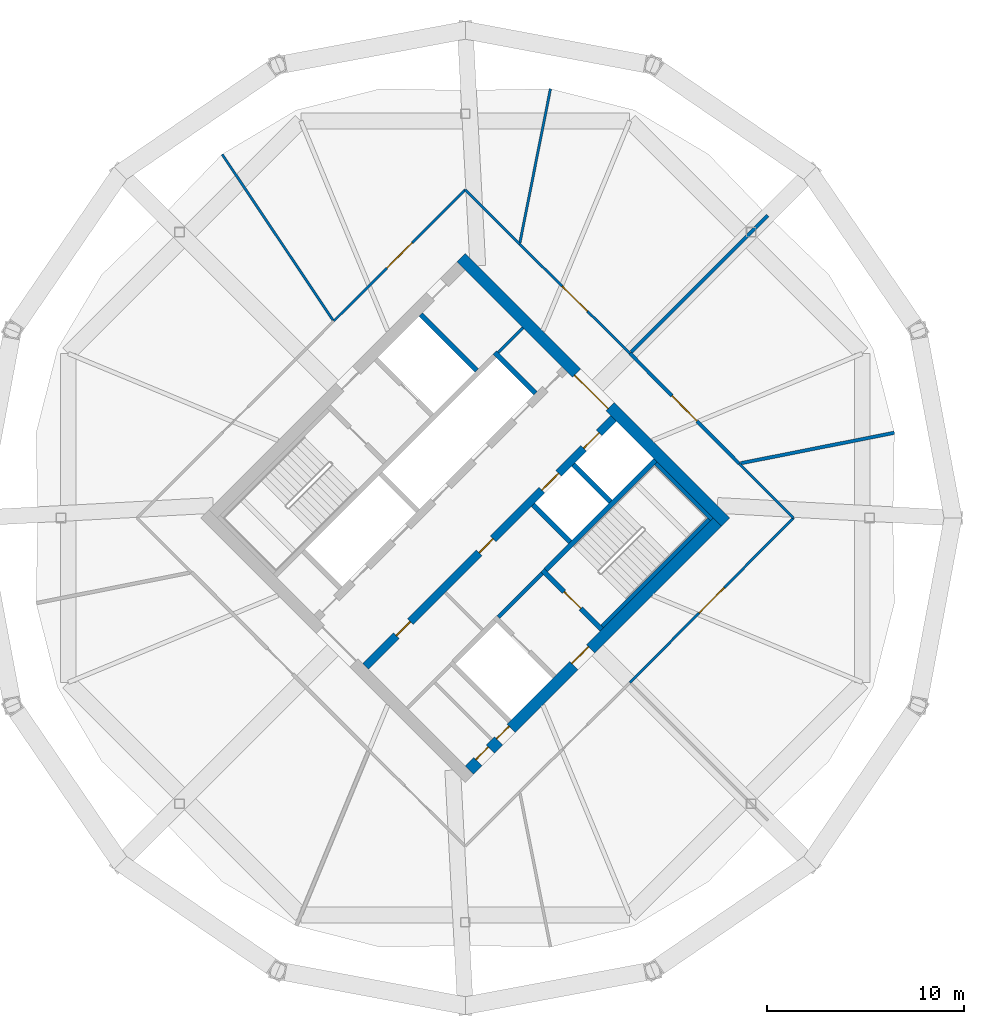
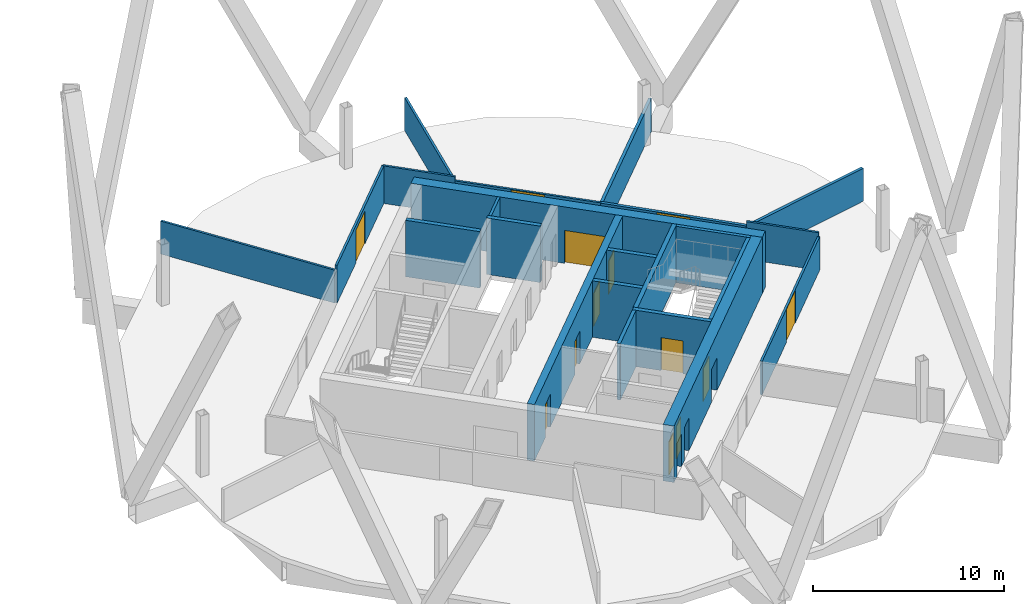
# One storey, part 8 of 10: 23 walls, 13 doors, 13 openings.
"""IFC4 building model written with IfcOpenShell, lengths in metres."""

from ifc_helpers import new_model, si_unit, direction, frame, frame_2d, origin, place, context, subcontext, project, spatial, rectangle, extrude, material, layer, layer_set, type_object, element, fill, save


model = new_model("IFC4")

# Units and contexts
model_context = context("Model", 3, precision=1e-05, world=origin(), true_north=direction((0.0, 1.0)))
body_context = subcontext(model_context, "Body", "Model", "MODEL_VIEW")
ifc_project = project(units=[si_unit("LENGTHUNIT", "METRE"), si_unit("AREAUNIT", "SQUARE_METRE"), si_unit("VOLUMEUNIT", "CUBIC_METRE"), si_unit("PLANEANGLEUNIT", "RADIAN"), si_unit("MASSUNIT", "GRAM", prefix="KILO")], contexts=[model_context])

# Site, building, storey
site_placement = place(None, origin())
site = spatial("IfcSite", under=ifc_project, at=site_placement, CompositionType="ELEMENT")
building_placement = place(site_placement, origin())
building = spatial("IfcBuilding", under=site, at=building_placement, Name="Ogive Gate Towers", CompositionType="ELEMENT")
storey_placement = place(building_placement, frame((0.0, 0.0, 181.199951171875)))
storey = spatial("IfcBuildingStorey", under=building, at=storey_placement, Name="L43", CompositionType="ELEMENT", Elevation=181.199951171875)

# Walls
ifc_material_1 = material(Name="Gypsum board acoustic partition")
ifc_layer_1 = layer(ifc_material_1, 0.175048828125)
ifc_layer_set_1 = layer_set([ifc_layer_1], Name="Acoustic partition 175")
wall_type_1 = type_object("IfcWallType", Name="Acoustic partition 175", PredefinedType="PARTITIONING", material=ifc_layer_set_1)
wall_1_placement = place(storey_placement, frame((57.784423828125, 4.324951171875, 0.0), z_axis=(0.0, 0.0, 1.0), x_axis=(-0.980858380129, -0.19472246437, 0.0)))
element("IfcWall", 1, at=wall_1_placement, inside=storey, type_object=wall_type_1, Name="Partition T2-L43-001", PredefinedType="PARTITIONING", context=body_context, shape_type="SweptSolid", body=[
    extrude(rectangle(XDim=7.951416015625, YDim=0.175048828125, at=frame_2d((3.9755859375, 0.0))), origin(), (0.0, 0.0, 1.0), 2.10009765625),
])
wall_2_placement = place(storey_placement, frame((51.3505859375, 15.3505859375, 0.0), z_axis=(0.0, 0.0, 1.0), x_axis=(-0.707106781187, -0.707106781187, 0.0)))
element("IfcWall", 2, at=wall_2_placement, inside=storey, type_object=wall_type_1, Name="Partition T2-L43-002", PredefinedType="PARTITIONING", context=body_context, shape_type="SweptSolid", body=[
    extrude(rectangle(XDim=9.801513671875, YDim=0.175048828125, at=frame_2d((4.90087890625, 0.0))), origin(), (0.0, 0.0, 1.0), 2.10009765625),
])

# Wall, opening, door
wall_3_placement = place(storey_placement, frame((49.8994140625, 2.759521484375, 0.0), z_axis=(0.0, 0.0, 1.0), x_axis=(-0.703486838198, 0.710708286488, 0.0)))
wall_3 = element("IfcWall", 3, at=wall_3_placement, inside=storey, type_object=wall_type_1, Name="Partition T2-L43-020", PredefinedType="PARTITIONING", context=body_context, shape_type="SweptSolid", body=[
    extrude(rectangle(XDim=7.877197265625, YDim=0.175048828125, at=frame_2d((3.9384765625, 0.0))), origin(), (0.0, 0.0, 1.0), 2.14013671875),
])
opening_1_placement = place(wall_3_placement, frame((3.0390625, 0.0, 0.0)))
opening_1 = element("IfcOpeningElement", 4, at=opening_1_placement, cuts=wall_3, Name="Opening T2-L43-D08", PredefinedType="OPENING", context=body_context, shape_type="SweptSolid", body=[
    extrude(rectangle(XDim=1.800048828125, YDim=2.10009765625, at=frame_2d((0.89990234375, 1.050048828125))), frame((0.0, 0.09765625, 0.0), z_axis=(0.0, -1.0, 0.0), x_axis=(1.0, 0.0, 0.0)), (0.0, 0.0, 1.0), 0.195068359375),
])
ifc_material_2 = material(Name="Timber door", Category="wood")
door_type_1 = type_object("IfcDoorType", Name="Door pair 1800", OperationType="NOTDEFINED", PredefinedType="DOOR", material=ifc_material_2)
door_1_placement = place(opening_1_placement, origin())
door_1 = element("IfcDoor", 5, at=door_1_placement, inside=storey, type_object=door_type_1, Name="Door T2-L43-D08", OperationType="DOUBLE_DOOR_DOUBLE_SWING", OverallHeight=2.10009765625, OverallWidth=1.800048828125, PredefinedType="DOOR", context=body_context, shape_type="SweptSolid", body=[
    extrude(rectangle(XDim=1.800048828125, YDim=2.10009765625, at=frame_2d((0.89990234375, 1.050048828125))), frame((0.0, 0.02490234375, 0.0), z_axis=(0.0, -1.0, 0.0), x_axis=(1.0, 0.0, 0.0)), (0.0, 0.0, 1.0), 0.050048828125),
])
fill(opening_1, door_1)

# Wall
ifc_material_3 = material(Name="Masonry blockwork", Category="masonry")
ifc_layer_2 = layer(ifc_material_3, 0.199951171875)
ifc_layer_set_2 = layer_set([ifc_layer_2], Name="Blockwork wall 200 mm")
wall_type_2 = type_object("IfcWallType", Name="Blockwork wall 200 mm", PredefinedType="PARTITIONING", material=ifc_layer_set_2)
wall_4_placement = place(storey_placement, frame((37.679443359375, -5.0380859375, 0.0), z_axis=(0.0, 0.0, 1.0), x_axis=(0.707106781187, 0.707106781187, 0.0)))
element("IfcWall", 6, at=wall_4_placement, inside=storey, type_object=wall_type_2, Name="T2 L43 Blockwork wall 200 mm", PredefinedType="PARTITIONING", context=body_context, shape_type="SweptSolid", body=[
    extrude(rectangle(XDim=3.14990234375, YDim=0.199951171875, at=frame_2d((1.574951171875, 0.0))), origin(), (0.0, 0.0, 1.0), 3.60009765625),
])

# Wall, openings, doors
ifc_material_4 = material(Name="Concrete C60/75", Category="concrete")
ifc_layer_3 = layer(ifc_material_4, 0.60009765625)
ifc_layer_set_3 = layer_set([ifc_layer_3], Name="Core wall 600 mm")
wall_type_3 = type_object("IfcWallType", Name="Core wall 600 mm", PredefinedType="SHEAR", material=ifc_layer_set_3)
wall_5_placement = place(storey_placement, frame((36.212158203125, -12.798583984375, 0.0), z_axis=(0.0, 0.0, 1.0), x_axis=(0.707106781187, 0.707106781187, 0.0)))
wall_5 = element("IfcWall", 7, at=wall_5_placement, inside=storey, type_object=wall_type_3, Name="T2 L43 Core wall 600 mm", PredefinedType="SHEAR", context=body_context, shape_type="SweptSolid", body=[
    extrude(rectangle(XDim=17.7998046875, YDim=0.60009765625, at=frame_2d((8.89990234375, 0.0))), origin(), (0.0, 0.0, 1.0), 3.60009765625),
])
opening_2_placement = place(wall_5_placement, frame((7.5, 0.0, 0.0)))
opening_2 = element("IfcOpeningElement", 8, at=opening_2_placement, cuts=wall_5, Name="Opening KD-T2-L43-19", PredefinedType="OPENING", context=body_context, shape_type="SweptSolid", body=[
    extrude(rectangle(XDim=1.199951171875, YDim=2.10009765625, at=frame_2d((0.60009765625, 1.050048828125))), frame((0.0, 0.31005859375, 0.0), z_axis=(0.0, -1.0, 0.0), x_axis=(1.0, 0.0, 0.0)), (0.0, 0.0, 1.0), 0.6201171875),
])
opening_3_placement = place(wall_5_placement, frame((0.60009765625, 0.0, 0.0)))
opening_3 = element("IfcOpeningElement", 9, at=opening_3_placement, cuts=wall_5, Name="Opening KD-T2-L43-21", PredefinedType="OPENING", context=body_context, shape_type="SweptSolid", body=[
    extrude(rectangle(XDim=0.89990234375, YDim=2.10009765625, at=frame_2d((0.449951171875, 1.050048828125))), frame((0.0, 0.31005859375, 0.0), z_axis=(0.0, -1.0, 0.0), x_axis=(1.0, 0.0, 0.0)), (0.0, 0.0, 1.0), 0.6201171875),
])
opening_4_placement = place(wall_5_placement, frame((2.10009765625, 0.0, 0.0)))
opening_4 = element("IfcOpeningElement", 10, at=opening_4_placement, cuts=wall_5, Name="Opening KD-T2-L43-22", PredefinedType="OPENING", context=body_context, shape_type="SweptSolid", body=[
    extrude(rectangle(XDim=0.89990234375, YDim=2.10009765625, at=frame_2d((0.449951171875, 1.050048828125))), frame((0.0, 0.31005859375, 0.0), z_axis=(0.0, -1.0, 0.0), x_axis=(1.0, 0.0, 0.0)), (0.0, 0.0, 1.0), 0.6201171875),
])
door_type_2 = type_object("IfcDoorType", Name="Core WC door 900 x 2100", OperationType="NOTDEFINED", PredefinedType="DOOR", material=ifc_material_2)
door_2_placement = place(opening_3_placement, origin())
door_2 = element("IfcDoor", 11, at=door_2_placement, inside=storey, type_object=door_type_2, Name="T2 L43 Core door", OperationType="SINGLE_SWING_RIGHT", OverallHeight=2.10009765625, OverallWidth=0.89990234375, PredefinedType="DOOR", context=body_context, shape_type="SweptSolid", body=[
    extrude(rectangle(XDim=0.89990234375, YDim=2.10009765625, at=frame_2d((0.449951171875, 1.050048828125))), frame((0.0, 0.1748046875, 0.0), z_axis=(0.0, -1.0, 0.0), x_axis=(1.0, 0.0, 0.0)), (0.0, 0.0, 1.0), 0.050048828125),
])
fill(opening_3, door_2)
door_3_placement = place(opening_4_placement, origin())
door_3 = element("IfcDoor", 12, at=door_3_placement, inside=storey, type_object=door_type_2, Name="T2 L43 Core door", OperationType="SINGLE_SWING_LEFT", OverallHeight=2.10009765625, OverallWidth=0.89990234375, PredefinedType="DOOR", context=body_context, shape_type="SweptSolid", body=[
    extrude(rectangle(XDim=0.89990234375, YDim=2.10009765625, at=frame_2d((0.449951171875, 1.050048828125))), frame((0.0, 0.1748046875, 0.0), z_axis=(0.0, -1.0, 0.0), x_axis=(1.0, 0.0, 0.0)), (0.0, 0.0, 1.0), 0.050048828125),
])
fill(opening_4, door_3)
ifc_material_5 = material(Name="Steel fire door", Category="steel")
door_type_3 = type_object("IfcDoorType", Name="Core door FD60S 1200 x 2100", OperationType="NOTDEFINED", PredefinedType="DOOR", material=ifc_material_5)
door_4_placement = place(opening_2_placement, origin())
door_4 = element("IfcDoor", 13, at=door_4_placement, inside=storey, type_object=door_type_3, Name="T2 L43 Fire-fighting lobby door", OperationType="SINGLE_SWING_RIGHT", OverallHeight=2.10009765625, OverallWidth=1.199951171875, PredefinedType="DOOR", context=body_context, shape_type="SweptSolid", body=[
    extrude(rectangle(XDim=1.199951171875, YDim=2.10009765625, at=frame_2d((0.60009765625, 1.050048828125))), frame((0.0, 0.1748046875, 0.0), z_axis=(0.0, -1.0, 0.0), x_axis=(1.0, 0.0, 0.0)), (0.0, 0.0, 1.0), 0.050048828125),
])
fill(opening_2, door_4)

# Wall, opening, door
wall_6_placement = place(storey_placement, frame((49.222900390625, -0.212158203125, 0.0), z_axis=(0.0, 0.0, 1.0), x_axis=(-0.707106781187, 0.707106781187, 0.0)))
wall_6 = element("IfcWall", 14, at=wall_6_placement, inside=storey, type_object=wall_type_3, Name="T2 L43 Core wall 600 mm", PredefinedType="SHEAR", context=body_context, shape_type="SweptSolid", body=[
    extrude(rectangle(XDim=19.0, YDim=0.60009765625, at=frame_2d((9.5, 0.0))), origin(), (0.0, 0.0, 1.0), 3.60009765625),
])
opening_5_placement = place(wall_6_placement, frame((8.300048828125, 0.0, 0.0)))
opening_5 = element("IfcOpeningElement", 15, at=opening_5_placement, cuts=wall_6, Name="Opening KD-T2-L43-02", PredefinedType="OPENING", context=body_context, shape_type="SweptSolid", body=[
    extrude(rectangle(XDim=2.39990234375, YDim=2.10009765625, at=frame_2d((1.199951171875, 1.050048828125))), frame((0.0, 0.31005859375, 0.0), z_axis=(0.0, -1.0, 0.0), x_axis=(1.0, 0.0, 0.0)), (0.0, 0.0, 1.0), 0.6201171875),
])
door_type_4 = type_object("IfcDoorType", Name="Core double door FD60S 2400 x 2100", OperationType="DOUBLE_DOOR_SINGLE_SWING", PredefinedType="DOOR", material=ifc_material_5)
door_5_placement = place(opening_5_placement, origin())
door_5 = element("IfcDoor", 16, at=door_5_placement, inside=storey, type_object=door_type_4, Name="T2 L43 Core door double", OperationType="DOUBLE_DOOR_SINGLE_SWING", OverallHeight=2.10009765625, OverallWidth=2.39990234375, PredefinedType="DOOR", context=body_context, shape_type="SweptSolid", body=[
    extrude(rectangle(XDim=2.39990234375, YDim=2.10009765625, at=frame_2d((1.199951171875, 1.050048828125))), frame((0.0, 0.1748046875, 0.0), z_axis=(0.0, -1.0, 0.0), x_axis=(1.0, 0.0, 0.0)), (0.0, 0.0, 1.0), 0.050048828125),
])
fill(opening_5, door_5)

# Walls
ifc_material_6 = material(Name="Gypsum board partition")
ifc_layer_4 = layer(ifc_material_6, 0.125)
ifc_layer_set_4 = layer_set([ifc_layer_4], Name="Partition 125")
wall_type_4 = type_object("IfcWallType", Name="Partition 125", PredefinedType="PARTITIONING", material=ifc_layer_set_4)
wall_7_placement = place(storey_placement, frame((40.324951171875, 21.784423828125, 0.0), z_axis=(0.0, 0.0, 1.0), x_axis=(-0.194756262112, -0.980851669911, 0.0)))
element("IfcWall", 17, at=wall_7_placement, inside=storey, type_object=wall_type_4, Name="Partition T2-L43-003", PredefinedType="PARTITIONING", context=body_context, shape_type="SweptSolid", body=[
    extrude(rectangle(XDim=7.9765625, YDim=0.125, at=frame_2d((3.98828125, 0.0))), origin(), (0.0, 0.0, 1.0), 2.10009765625),
])
wall_8_placement = place(storey_placement, frame((23.654296875, 18.462158203125, 0.0), z_axis=(0.0, 0.0, 1.0), x_axis=(0.555873550817, -0.831266861785, 0.0)))
element("IfcWall", 18, at=wall_8_placement, inside=storey, type_object=wall_type_4, Name="Partition T2-L43-004", PredefinedType="PARTITIONING", context=body_context, shape_type="SweptSolid", body=[
    extrude(rectangle(XDim=10.126708984375, YDim=0.125, at=frame_2d((5.0634765625, 0.0))), origin(), (0.0, 0.0, 1.0), 2.10009765625),
])

# Wall, opening, door
wall_9_placement = place(storey_placement, frame((44.35791015625, 8.35791015625, 0.0), z_axis=(0.0, 0.0, 1.0), x_axis=(-0.710708286488, 0.703486838198, 0.0)))
wall_9 = element("IfcWall", 19, at=wall_9_placement, inside=storey, type_object=wall_type_4, Name="Partition T2-L43-009", PredefinedType="PARTITIONING", context=body_context, shape_type="SweptSolid", body=[
    extrude(rectangle(XDim=7.877197265625, YDim=0.125, at=frame_2d((3.9384765625, 0.0))), origin(), (0.0, 0.0, 1.0), 2.14013671875),
])
opening_6_placement = place(wall_9_placement, frame((3.0390625, 0.0, 0.0)))
opening_6 = element("IfcOpeningElement", 20, at=opening_6_placement, cuts=wall_9, Name="Opening T2-L43-D01", PredefinedType="OPENING", context=body_context, shape_type="SweptSolid", body=[
    extrude(rectangle(XDim=1.800048828125, YDim=2.10009765625, at=frame_2d((0.89990234375, 1.050048828125))), frame((0.0, 0.072509765625, 0.0), z_axis=(0.0, -1.0, 0.0), x_axis=(1.0, 0.0, 0.0)), (0.0, 0.0, 1.0), 0.14501953125),
])
door_6_placement = place(opening_6_placement, origin())
door_6 = element("IfcDoor", 21, at=door_6_placement, inside=storey, type_object=door_type_1, Name="Door T2-L43-D01", OperationType="DOUBLE_DOOR_DOUBLE_SWING", OverallHeight=2.10009765625, OverallWidth=1.800048828125, PredefinedType="DOOR", context=body_context, shape_type="SweptSolid", body=[
    extrude(rectangle(XDim=1.800048828125, YDim=2.10009765625, at=frame_2d((0.89990234375, 1.050048828125))), frame((0.0, 0.02490234375, 0.0), z_axis=(0.0, -1.0, 0.0), x_axis=(1.0, 0.0, 0.0)), (0.0, 0.0, 1.0), 0.050048828125),
])
fill(opening_6, door_6)

wall_10_placement = place(storey_placement, frame((36.0, 16.659423828125, 0.0), z_axis=(0.0, 0.0, 1.0), x_axis=(-0.707882286936, -0.706330423981, 0.0)))
wall_10 = element("IfcWall", 22, at=wall_10_placement, inside=storey, type_object=wall_type_4, Name="Partition T2-L43-010", PredefinedType="PARTITIONING", context=body_context, shape_type="SweptSolid", body=[
    extrude(rectangle(XDim=9.439208984375, YDim=0.125, at=frame_2d((4.7197265625, 0.0))), origin(), (0.0, 0.0, 1.0), 2.400146484375),
])
opening_7_placement = place(wall_10_placement, frame((3.820068359375, 0.0, 0.0)))
opening_7 = element("IfcOpeningElement", 23, at=opening_7_placement, cuts=wall_10, Name="Opening T2-L43-D02", PredefinedType="OPENING", context=body_context, shape_type="SweptSolid", body=[
    extrude(rectangle(XDim=1.800048828125, YDim=2.10009765625, at=frame_2d((0.89990234375, 1.050048828125))), frame((0.0, 0.072509765625, 0.0), z_axis=(0.0, -1.0, 0.0), x_axis=(1.0, 0.0, 0.0)), (0.0, 0.0, 1.0), 0.14501953125),
])
door_7_placement = place(opening_7_placement, origin())
door_7 = element("IfcDoor", 24, at=door_7_placement, inside=storey, type_object=door_type_1, Name="Door T2-L43-D02", OperationType="DOUBLE_DOOR_DOUBLE_SWING", OverallHeight=2.10009765625, OverallWidth=1.800048828125, PredefinedType="DOOR", context=body_context, shape_type="SweptSolid", body=[
    extrude(rectangle(XDim=1.800048828125, YDim=2.10009765625, at=frame_2d((0.89990234375, 1.050048828125))), frame((0.0, 0.02490234375, 0.0), z_axis=(0.0, -1.0, 0.0), x_axis=(1.0, 0.0, 0.0)), (0.0, 0.0, 1.0), 0.050048828125),
])
fill(opening_7, door_7)

# Wall
wall_11_placement = place(storey_placement, frame((38.759521484375, 13.8994140625, 0.0), z_axis=(0.0, 0.0, 1.0), x_axis=(-0.707044224741, 0.707169332098, 0.0)))
element("IfcWall", 25, at=wall_11_placement, inside=storey, type_object=wall_type_4, Name="Partition T2-L43-011", PredefinedType="PARTITIONING", context=body_context, shape_type="SweptSolid", body=[
    extrude(rectangle(XDim=3.90283203125, YDim=0.125, at=frame_2d((1.951416015625, 0.0))), origin(), (0.0, 0.0, 1.0), 2.400146484375),
])

# Wall, opening, door
wall_12_placement = place(storey_placement, frame((44.35791015625, -8.35791015625, 0.0), z_axis=(0.0, 0.0, 1.0), x_axis=(0.70470900278, 0.709496456229, 0.0)))
wall_12 = element("IfcWall", 26, at=wall_12_placement, inside=storey, type_object=wall_type_4, Name="Partition T2-L43-018", PredefinedType="PARTITIONING", context=body_context, shape_type="SweptSolid", body=[
    extrude(rectangle(XDim=11.780029296875, YDim=0.125, at=frame_2d((5.89013671875, 0.0))), origin(), (0.0, 0.0, 1.0), 2.14013671875),
])
opening_8_placement = place(wall_12_placement, frame((4.989990234375, 0.0, 0.0)))
opening_8 = element("IfcOpeningElement", 27, at=opening_8_placement, cuts=wall_12, Name="Opening T2-L43-D07", PredefinedType="OPENING", context=body_context, shape_type="SweptSolid", body=[
    extrude(rectangle(XDim=1.800048828125, YDim=2.10009765625, at=frame_2d((0.89990234375, 1.050048828125))), frame((0.0, 0.072509765625, 0.0), z_axis=(0.0, -1.0, 0.0), x_axis=(1.0, 0.0, 0.0)), (0.0, 0.0, 1.0), 0.14501953125),
])
door_8_placement = place(opening_8_placement, origin())
door_8 = element("IfcDoor", 28, at=door_8_placement, inside=storey, type_object=door_type_1, Name="Door T2-L43-D07", OperationType="DOUBLE_DOOR_DOUBLE_SWING", OverallHeight=2.10009765625, OverallWidth=1.800048828125, PredefinedType="DOOR", context=body_context, shape_type="SweptSolid", body=[
    extrude(rectangle(XDim=1.800048828125, YDim=2.10009765625, at=frame_2d((0.89990234375, 1.050048828125))), frame((0.0, 0.02490234375, 0.0), z_axis=(0.0, -1.0, 0.0), x_axis=(1.0, 0.0, 0.0)), (0.0, 0.0, 1.0), 0.050048828125),
])
fill(opening_8, door_8)

# Walls
wall_13_placement = place(storey_placement, frame((52.659423828125, 0.0, 0.0), z_axis=(0.0, 0.0, 1.0), x_axis=(-0.707169332098, 0.707044224741, 0.0)))
element("IfcWall", 29, at=wall_13_placement, inside=storey, type_object=wall_type_4, Name="Partition T2-L43-019", PredefinedType="PARTITIONING", context=body_context, shape_type="SweptSolid", body=[
    extrude(rectangle(XDim=3.90283203125, YDim=0.125, at=frame_2d((1.951416015625, 0.0))), origin(), (0.0, 0.0, 1.0), 2.400146484375),
])
ifc_layer_5 = layer(ifc_material_6, 0.14990234375)
ifc_layer_set_5 = layer_set([ifc_layer_5], Name="Room partition 150 mm")
wall_type_5 = type_object("IfcWallType", Name="Room partition 150 mm", PredefinedType="PARTITIONING", material=ifc_layer_set_5)
wall_14_placement = place(storey_placement, frame((37.679443359375, 8.39697265625, 0.0), z_axis=(0.0, 0.0, 1.0), x_axis=(0.707106781187, 0.707106781187, 0.0)))
element("IfcWall", 30, at=wall_14_placement, inside=storey, type_object=wall_type_5, Name="T2 L43 Room partition 150 mm", PredefinedType="PARTITIONING", context=body_context, shape_type="SweptSolid", body=[
    extrude(rectangle(XDim=1.77490234375, YDim=0.14990234375, at=frame_2d((0.887451171875, 0.0))), origin(), (0.0, 0.0, 1.0), 3.60009765625),
])
ifc_layer_6 = layer(ifc_material_4, 0.25)
ifc_layer_set_6 = layer_set([ifc_layer_6], Name="Shaft wall 250 mm")
wall_type_6 = type_object("IfcWallType", Name="Shaft wall 250 mm", PredefinedType="SHEAR", material=ifc_layer_set_6)
wall_15_placement = place(storey_placement, frame((40.08349609375, -2.634033203125, 0.0), z_axis=(0.0, 0.0, 1.0), x_axis=(0.707106781187, 0.707106781187, 0.0)))
element("IfcWall", 31, at=wall_15_placement, inside=storey, type_object=wall_type_6, Name="T2 L43 Shaft wall 250 mm", PredefinedType="SHEAR", context=body_context, shape_type="SweptSolid", body=[
    extrude(rectangle(XDim=7.875244140625, YDim=0.25, at=frame_2d((3.9375, 0.0))), origin(), (0.0, 0.0, 1.0), 3.60009765625),
])

# Wall, opening, door
wall_16_placement = place(storey_placement, frame((42.9296875, -5.656982421875, 0.0), z_axis=(0.0, 0.0, 1.0), x_axis=(-0.707106781187, 0.707106781187, 0.0)))
wall_16 = element("IfcWall", 32, at=wall_16_placement, inside=storey, type_object=wall_type_6, Name="T2 L43 Shaft wall 250 mm", PredefinedType="SHEAR", context=body_context, shape_type="SweptSolid", body=[
    extrude(rectangle(XDim=4.250244140625, YDim=0.25, at=frame_2d((2.125, 0.0))), origin(), (0.0, 0.0, 1.0), 3.60009765625),
])
opening_9_placement = place(wall_16_placement, frame((1.5, 0.0, 0.0)))
opening_9 = element("IfcOpeningElement", 33, at=opening_9_placement, cuts=wall_16, Name="Opening KD-T2-L43-17", PredefinedType="OPENING", context=body_context, shape_type="SweptSolid", body=[
    extrude(rectangle(XDim=1.199951171875, YDim=2.10009765625, at=frame_2d((0.60009765625, 1.050048828125))), frame((0.0, 0.135009765625, 0.0), z_axis=(0.0, -1.0, 0.0), x_axis=(1.0, 0.0, 0.0)), (0.0, 0.0, 1.0), 0.27001953125),
])
door_9_placement = place(opening_9_placement, origin())
door_9 = element("IfcDoor", 34, at=door_9_placement, inside=storey, type_object=door_type_3, Name="T2 L43 Stair door", OperationType="SINGLE_SWING_RIGHT", OverallHeight=2.10009765625, OverallWidth=1.199951171875, PredefinedType="DOOR", context=body_context, shape_type="SweptSolid", body=[
    extrude(rectangle(XDim=1.199951171875, YDim=2.10009765625, at=frame_2d((0.60009765625, 1.050048828125))), frame((0.0, 0.02490234375, 0.0), z_axis=(0.0, -1.0, 0.0), x_axis=(1.0, 0.0, 0.0)), (0.0, 0.0, 1.0), 0.050048828125),
])
fill(opening_9, door_9)

# Walls
wall_17_placement = place(storey_placement, frame((41.321044921875, -1.2197265625, 0.0), z_axis=(0.0, 0.0, 1.0), x_axis=(-0.707106781187, 0.707106781187, 0.0)))
element("IfcWall", 35, at=wall_17_placement, inside=storey, type_object=wall_type_6, Name="T2 L43 Shaft wall 250 mm", PredefinedType="SHEAR", context=body_context, shape_type="SweptSolid", body=[
    extrude(rectangle(XDim=2.675048828125, YDim=0.25, at=frame_2d((1.33740234375, 0.0))), origin(), (0.0, 0.0, 1.0), 3.60009765625),
])
wall_18_placement = place(storey_placement, frame((36.58349609375, 7.477783203125, 0.0), z_axis=(0.0, 0.0, 1.0), x_axis=(-0.707137108942, 0.70707645213, 0.0)))
element("IfcWall", 36, at=wall_18_placement, inside=storey, type_object=wall_type_6, Name="T2 L43 Shaft wall 250 mm", PredefinedType="SHEAR", context=body_context, shape_type="SweptSolid", body=[
    extrude(rectangle(XDim=4.02490234375, YDim=0.25, at=frame_2d((2.012451171875, 0.0))), origin(), (0.0, 0.0, 1.0), 3.60009765625),
])
wall_19_placement = place(storey_placement, frame((43.37158203125, 0.830810546875, 0.0), z_axis=(0.0, 0.0, 1.0), x_axis=(-0.707106781187, 0.707106781187, 0.0)))
element("IfcWall", 37, at=wall_19_placement, inside=storey, type_object=wall_type_6, Name="T2 L43 Shaft wall 250 mm", PredefinedType="SHEAR", context=body_context, shape_type="SweptSolid", body=[
    extrude(rectangle(XDim=2.675048828125, YDim=0.25, at=frame_2d((1.33740234375, 0.0))), origin(), (0.0, 0.0, 1.0), 3.60009765625),
])
wall_20_placement = place(storey_placement, frame((39.57080078125, 6.32861328125, 0.0), z_axis=(0.0, 0.0, 1.0), x_axis=(-0.707065045505, 0.707148514405, 0.0)))
element("IfcWall", 38, at=wall_20_placement, inside=storey, type_object=wall_type_6, Name="T2 L43 Shaft wall 250 mm", PredefinedType="SHEAR", context=body_context, shape_type="SweptSolid", body=[
    extrude(rectangle(XDim=2.925048828125, YDim=0.25, at=frame_2d((1.46240234375, 0.0))), origin(), (0.0, 0.0, 1.0), 3.60009765625),
])

# Wall, openings, doors
ifc_layer_7 = layer(ifc_material_4, 0.39990234375)
ifc_layer_set_7 = layer_set([ifc_layer_7], Name="Spine wall 400 mm")
wall_type_7 = type_object("IfcWallType", Name="Spine wall 400 mm", PredefinedType="SHEAR", material=ifc_layer_set_7)
wall_21_placement = place(storey_placement, frame((30.944091796875, -7.53076171875, 0.0), z_axis=(0.0, 0.0, 1.0), x_axis=(0.707106781187, 0.707106781187, 0.0)))
wall_21 = element("IfcWall", 39, at=wall_21_placement, inside=storey, type_object=wall_type_7, Name="T2 L43 Spine wall 400 mm", PredefinedType="SHEAR", context=body_context, shape_type="SweptSolid", body=[
    extrude(rectangle(XDim=17.80029296875, YDim=0.39990234375, at=frame_2d((8.900146484375, 0.0))), origin(), (0.0, 0.0, 1.0), 3.60009765625),
])
opening_10_placement = place(wall_21_placement, frame((12.64990234375, 0.0, 0.0)))
opening_10 = element("IfcOpeningElement", 40, at=opening_10_placement, cuts=wall_21, Name="Opening LD-T2-L43-10", PredefinedType="OPENING", context=body_context, shape_type="SweptSolid", body=[
    extrude(rectangle(XDim=1.199951171875, YDim=2.10009765625, at=frame_2d((0.60009765625, 1.050048828125))), frame((0.0, 0.2099609375, 0.0), z_axis=(0.0, -1.0, 0.0), x_axis=(1.0, 0.0, 0.0)), (0.0, 0.0, 1.0), 0.419921875),
])
opening_11_placement = place(wall_21_placement, frame((15.64990234375, 0.0, 0.0)))
opening_11 = element("IfcOpeningElement", 41, at=opening_11_placement, cuts=wall_21, Name="Opening LD-T2-L43-11", PredefinedType="OPENING", context=body_context, shape_type="SweptSolid", body=[
    extrude(rectangle(XDim=1.10009765625, YDim=2.10009765625, at=frame_2d((0.550048828125, 1.050048828125))), frame((0.0, 0.2099609375, 0.0), z_axis=(0.0, -1.0, 0.0), x_axis=(1.0, 0.0, 0.0)), (0.0, 0.0, 1.0), 0.419921875),
])
opening_12_placement = place(wall_21_placement, frame((2.199951171875, 0.0, 0.0)))
opening_12 = element("IfcOpeningElement", 42, at=opening_12_placement, cuts=wall_21, Name="Opening KD-T2-L43-14", PredefinedType="OPENING", context=body_context, shape_type="SweptSolid", body=[
    extrude(rectangle(XDim=1.0, YDim=2.10009765625, at=frame_2d((0.5, 1.050048828125))), frame((0.0, 0.2099609375, 0.0), z_axis=(0.0, -1.0, 0.0), x_axis=(1.0, 0.0, 0.0)), (0.0, 0.0, 1.0), 0.419921875),
])
opening_13_placement = place(wall_21_placement, frame((8.14990234375, 0.0, 0.0)))
opening_13 = element("IfcOpeningElement", 43, at=opening_13_placement, cuts=wall_21, Name="Opening KD-T2-L43-15", PredefinedType="OPENING", context=body_context, shape_type="SweptSolid", body=[
    extrude(rectangle(XDim=1.0, YDim=2.10009765625, at=frame_2d((0.5, 1.050048828125))), frame((0.0, 0.2099609375, 0.0), z_axis=(0.0, -1.0, 0.0), x_axis=(1.0, 0.0, 0.0)), (0.0, 0.0, 1.0), 0.419921875),
])
door_type_5 = type_object("IfcDoorType", Name="Core door FD60S 1000 x 2100", OperationType="NOTDEFINED", PredefinedType="DOOR", material=ifc_material_5)
door_10_placement = place(opening_12_placement, origin())
door_10 = element("IfcDoor", 44, at=door_10_placement, inside=storey, type_object=door_type_5, Name="T2 L43 Core door", OperationType="SINGLE_SWING_LEFT", OverallHeight=2.10009765625, OverallWidth=1.0, PredefinedType="DOOR", context=body_context, shape_type="SweptSolid", body=[
    extrude(rectangle(XDim=1.0, YDim=2.10009765625, at=frame_2d((0.5, 1.050048828125))), frame((0.0, 0.02490234375, 0.0), z_axis=(0.0, -1.0, 0.0), x_axis=(1.0, 0.0, 0.0)), (0.0, 0.0, 1.0), 0.050048828125),
])
fill(opening_12, door_10)
door_11_placement = place(opening_13_placement, origin())
door_11 = element("IfcDoor", 45, at=door_11_placement, inside=storey, type_object=door_type_5, Name="T2 L43 Core door", OperationType="SINGLE_SWING_RIGHT", OverallHeight=2.10009765625, OverallWidth=1.0, PredefinedType="DOOR", context=body_context, shape_type="SweptSolid", body=[
    extrude(rectangle(XDim=1.0, YDim=2.10009765625, at=frame_2d((0.5, 1.050048828125))), frame((0.0, 0.02490234375, 0.0), z_axis=(0.0, -1.0, 0.0), x_axis=(1.0, 0.0, 0.0)), (0.0, 0.0, 1.0), 0.050048828125),
])
fill(opening_13, door_11)
ifc_material_7 = material(Name="Stainless steel landing door", Category="steel")
door_type_6 = type_object("IfcDoorType", Name="Landing door 1100 x 2100", OperationType="SLIDING_TO_LEFT", PredefinedType="DOOR", material=ifc_material_7)
door_12_placement = place(opening_11_placement, origin())
door_12 = element("IfcDoor", 46, at=door_12_placement, inside=storey, type_object=door_type_6, Name="T2 L43 Lift landing door B6", OperationType="SLIDING_TO_LEFT", OverallHeight=2.10009765625, OverallWidth=1.10009765625, PredefinedType="DOOR", context=body_context, shape_type="SweptSolid", body=[
    extrude(rectangle(XDim=1.10009765625, YDim=2.10009765625, at=frame_2d((0.550048828125, 1.050048828125))), frame((0.0, 0.02490234375, 0.0), z_axis=(0.0, -1.0, 0.0), x_axis=(1.0, 0.0, 0.0)), (0.0, 0.0, 1.0), 0.050048828125),
])
fill(opening_11, door_12)
door_type_7 = type_object("IfcDoorType", Name="Landing door 1200 x 2100", OperationType="SLIDING_TO_LEFT", PredefinedType="DOOR", material=ifc_material_7)
door_13_placement = place(opening_10_placement, origin())
door_13 = element("IfcDoor", 47, at=door_13_placement, inside=storey, type_object=door_type_7, Name="T2 L43 Lift landing door SVC", OperationType="SLIDING_TO_LEFT", OverallHeight=2.10009765625, OverallWidth=1.199951171875, PredefinedType="DOOR", context=body_context, shape_type="SweptSolid", body=[
    extrude(rectangle(XDim=1.199951171875, YDim=2.10009765625, at=frame_2d((0.60009765625, 1.050048828125))), frame((0.0, 0.02490234375, 0.0), z_axis=(0.0, -1.0, 0.0), x_axis=(1.0, 0.0, 0.0)), (0.0, 0.0, 1.0), 0.050048828125),
])
fill(opening_10, door_13)

# Walls
ifc_layer_8 = layer(ifc_material_4, 0.199951171875)
ifc_layer_set_8 = layer_set([ifc_layer_8], Name="Stair wall 200 mm")
wall_type_8 = type_object("IfcWallType", Name="Stair wall 200 mm", PredefinedType="SHEAR", material=ifc_layer_set_8)
wall_22_placement = place(storey_placement, frame((42.947265625, -5.497802734375, 0.0), z_axis=(0.0, 0.0, 1.0), x_axis=(0.707122685701, 0.707090876314, 0.0)))
element("IfcWall", 48, at=wall_22_placement, inside=storey, type_object=wall_type_8, Name="T2 L43 Stair wall 200 mm", PredefinedType="SHEAR", context=body_context, shape_type="SweptSolid", body=[
    extrude(rectangle(XDim=7.675048828125, YDim=0.199951171875, at=frame_2d((3.83740234375, 0.0))), origin(), (0.0, 0.0, 1.0), 3.60009765625),
])
wall_23_placement = place(storey_placement, frame((48.515869140625, -0.07080078125, 0.0), z_axis=(0.0, 0.0, 1.0), x_axis=(-0.707106781187, 0.707106781187, 0.0)))
element("IfcWall", 49, at=wall_23_placement, inside=storey, type_object=wall_type_8, Name="T2 L43 Stair wall 200 mm", PredefinedType="SHEAR", context=body_context, shape_type="SweptSolid", body=[
    extrude(rectangle(XDim=4.025146484375, YDim=0.199951171875, at=frame_2d((2.0126953125, 0.0))), origin(), (0.0, 0.0, 1.0), 3.60009765625),
])

save(model, "model.ifc")
